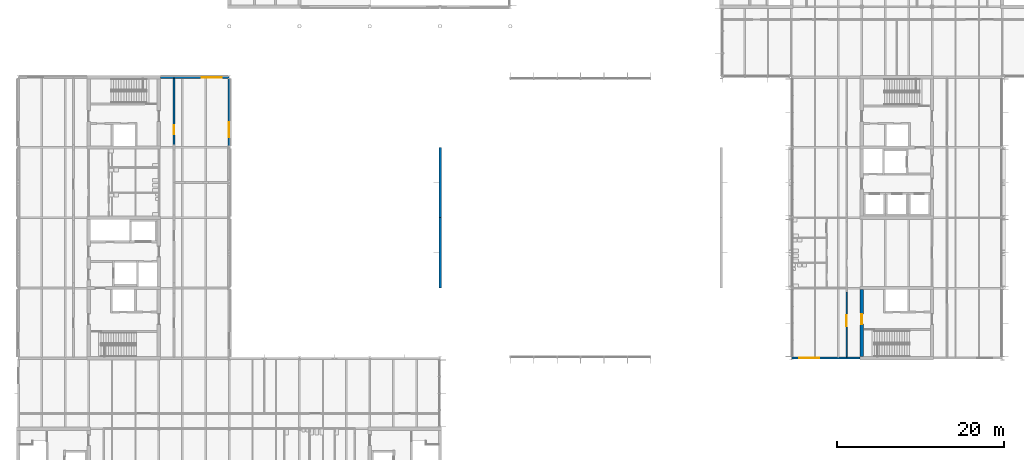
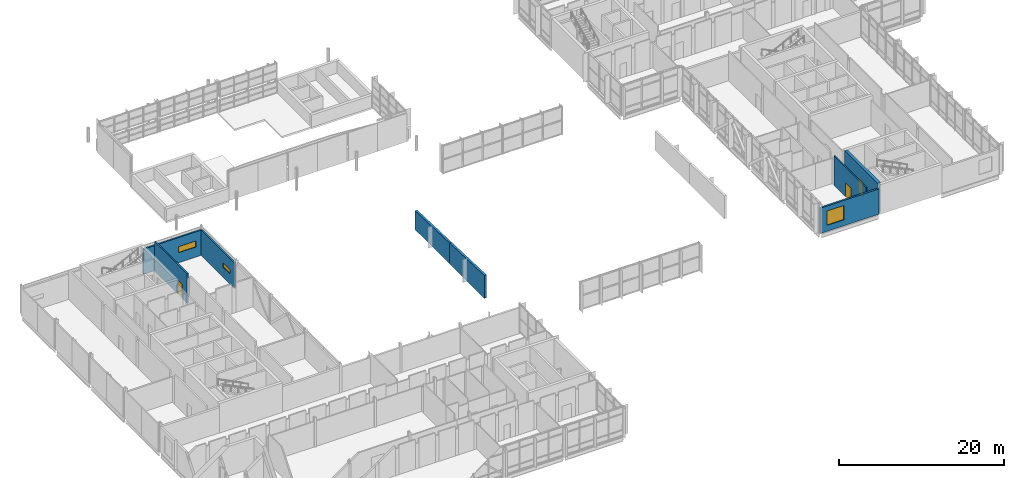
# One storey, part 43 of 72: 8 walls, 3 doors, 3 windows, 6 openings.
"""IFC4 building model written with IfcOpenShell, lengths in metres."""

from ifc_helpers import new_model, si_unit, direction, frame, frame_2d, origin, place, context, subcontext, project, spatial, polyline, rectangle, outline, extrude, material, layer, layer_set, type_object, element, fill, save


model = new_model("IFC4")

# Units and contexts
model_context = context("Model", 3, precision=1e-05, world=origin(), true_north=direction((0.0, 1.0)))
body_context = subcontext(model_context, "Body", "Model", "MODEL_VIEW")
ifc_project = project(units=[si_unit("LENGTHUNIT", "METRE"), si_unit("AREAUNIT", "SQUARE_METRE"), si_unit("VOLUMEUNIT", "CUBIC_METRE"), si_unit("PLANEANGLEUNIT", "RADIAN"), si_unit("MASSUNIT", "GRAM", prefix="KILO")], contexts=[model_context])

# Site, building, storey
site_placement = place(None, origin())
site = spatial("IfcSite", under=ifc_project, at=site_placement, CompositionType="ELEMENT")
building_placement = place(site_placement, origin())
building = spatial("IfcBuilding", under=site, at=building_placement, Name="Hlaing Beacon Police Headquarters", CompositionType="ELEMENT")
storey_placement = place(building_placement, frame((0.0, 0.0, 14.39990234375)))
storey = spatial("IfcBuildingStorey", under=building, at=storey_placement, Name="L03", CompositionType="ELEMENT", Elevation=14.39990234375)

# Wall, opening, door
ifc_material_1 = material(Name="Concrete C60/75", Category="concrete")
ifc_layer_1 = layer(ifc_material_1, 0.39990234375)
ifc_layer_set_1 = layer_set([ifc_layer_1], Name="Concrete C60/75")
wall_type_1 = type_object("IfcWallType", Name="Core shear wall 400", PredefinedType="SHEAR", material=ifc_layer_set_1)
wall_1_placement = place(storey_placement, frame((109.199951171875, 33.800048828125, 0.0), z_axis=(0.0, 0.0, 1.0), x_axis=(0.0, 1.0, 0.0)))
wall_1 = element("IfcWall", 1, at=wall_1_placement, inside=storey, type_object=wall_type_1, Name="Core shear wall", PredefinedType="SHEAR", context=body_context, shape_type="SweptSolid", body=[
    extrude(rectangle(XDim=8.0, YDim=0.39990234375, at=frame_2d((4.0, 0.0))), origin(), (0.0, 0.0, 1.0), 4.3701171875),
])
opening_1_placement = place(wall_1_placement, frame((3.875, 0.0, 0.0)))
opening_1 = element("IfcOpeningElement", 2, at=opening_1_placement, cuts=wall_1, Name="Opening L03-918", PredefinedType="OPENING", context=body_context, shape_type="SweptSolid", body=[
    extrude(rectangle(XDim=1.199951171875, YDim=2.10009765625, at=frame_2d((0.60009765625, 1.050048828125))), frame((0.0, 0.2099609375, 0.0), z_axis=(0.0, -1.0, 0.0), x_axis=(1.0, 0.0, 0.0)), (0.0, 0.0, 1.0), 0.419921875),
])
ifc_material_2 = material(Name="Steel fire door leaf", Category="steel")
ifc_layer_2 = layer(ifc_material_2, 0.070068359375)
ifc_layer_set_2 = layer_set([ifc_layer_2], Name="Steel fire door leaf")
door_type_1 = type_object("IfcDoorType", Name="Steel fire door FD60S 1200x2100", OperationType="SINGLE_SWING_LEFT", PredefinedType="DOOR", material=ifc_layer_set_2)
door_1_placement = place(opening_1_placement, frame((1.199951171875, 0.0, 0.0), z_axis=(0.0, 0.0, 1.0), x_axis=(-1.0, 0.0, 0.0)))
door_1 = element("IfcDoor", 3, at=door_1_placement, inside=storey, type_object=door_type_1, Name="Door Stair Lobby ST-L Entry", OperationType="SINGLE_SWING_RIGHT", OverallHeight=2.10009765625, OverallWidth=1.199951171875, PredefinedType="DOOR", context=body_context, shape_type="SweptSolid", body=[
    extrude(rectangle(XDim=1.199951171875, YDim=2.10009765625, at=frame_2d((0.599853515625, 1.050048828125))), frame((0.0, 0.034912109375, 0.0), z_axis=(0.0, -1.0, 0.0), x_axis=(1.0, 0.0, 0.0)), (0.0, 0.0, 1.0), 0.070068359375),
])
fill(opening_1, door_1)

ifc_material_3 = material(Name="Gypsum board partition")
ifc_layer_3 = layer(ifc_material_3, 0.14990234375)
ifc_layer_set_3 = layer_set([ifc_layer_3], Name="Gypsum board partition")
wall_type_2 = type_object("IfcWallType", Name="Corridor wall EI 30 150", PredefinedType="PARTITIONING", material=ifc_layer_set_3)
wall_2_placement = place(storey_placement, frame((107.39990234375, 33.75, 0.0), z_axis=(0.0, 0.0, 1.0), x_axis=(0.0, 1.0, 0.0)))
wall_2 = element("IfcWall", 4, at=wall_2_placement, inside=storey, type_object=wall_type_2, Name="Corridor wall EI 30 150", PredefinedType="PARTITIONING", context=body_context, shape_type="SweptSolid", body=[
    extrude(rectangle(XDim=7.7900390625, YDim=0.14990234375, at=frame_2d((3.89501953125, 0.0))), origin(), (0.0, 0.0, 1.0), 4.3701171875),
])
opening_2_placement = place(wall_2_placement, frame((3.64990234375, 0.0, 0.0)))
opening_2 = element("IfcOpeningElement", 5, at=opening_2_placement, cuts=wall_2, Name="Opening L03-017", PredefinedType="OPENING", context=body_context, shape_type="SweptSolid", body=[
    extrude(rectangle(XDim=1.35009765625, YDim=2.10009765625, at=frame_2d((0.675048828125, 1.050048828125))), frame((0.0, 0.0849609375, 0.0), z_axis=(0.0, -1.0, 0.0), x_axis=(1.0, 0.0, 0.0)), (0.0, 0.0, 1.0), 0.169921875),
])
ifc_material_4 = material(Name="Hardwood door leaf", Category="wood")
ifc_layer_4 = layer(ifc_material_4, 0.050048828125)
ifc_layer_set_4 = layer_set([ifc_layer_4], Name="Hardwood door leaf")
door_type_2 = type_object("IfcDoorType", Name="Fire leaf-and-a-half door FD30S 1350x2100", OperationType="DOUBLE_DOOR_SINGLE_SWING", PredefinedType="DOOR", material=ifc_layer_set_4)
door_2_placement = place(opening_2_placement, origin())
door_2 = element("IfcDoor", 6, at=door_2_placement, inside=storey, type_object=door_type_2, Name="Door Major Crime Unit Office", OperationType="DOUBLE_DOOR_SINGLE_SWING", OverallHeight=2.10009765625, OverallWidth=1.35009765625, PredefinedType="DOOR", context=body_context, shape_type="SweptSolid", body=[
    extrude(rectangle(XDim=1.35009765625, YDim=2.10009765625, at=frame_2d((0.675048828125, 1.050048828125))), frame((0.0, 0.02490234375, 0.0), z_axis=(0.0, -1.0, 0.0), x_axis=(1.0, 0.0, 0.0)), (0.0, 0.0, 1.0), 0.050048828125),
])
fill(opening_2, door_2)

ifc_material_5 = material(Name="Concrete blockwork 7.5 N/mm2", Category="masonry")
ifc_layer_5 = layer(ifc_material_5, 0.199951171875)
ifc_layer_set_5 = layer_set([ifc_layer_5], Name="Concrete blockwork 7.5 N/mm2")
wall_type_3 = type_object("IfcWallType", Name="Laboratory wall EI 60 200", PredefinedType="PARTITIONING", material=ifc_layer_set_5)
wall_3_placement = place(storey_placement, frame((27.0, 59.10498046875, 0.0), z_axis=(0.0, 0.0, 1.0), x_axis=(0.0, 1.0, 0.0)))
wall_3 = element("IfcWall", 7, at=wall_3_placement, inside=storey, type_object=wall_type_3, Name="Laboratory wall EI 60 200", PredefinedType="PARTITIONING", context=body_context, shape_type="SweptSolid", body=[
    extrude(rectangle(XDim=7.945068359375, YDim=0.199951171875, at=frame_2d((3.97265625, 0.0))), origin(), (0.0, 0.0, 1.0), 4.3701171875),
])
opening_3_placement = place(wall_3_placement, frame((1.2451171875, 0.0, 0.0)))
opening_3 = element("IfcOpeningElement", 8, at=opening_3_placement, cuts=wall_3, Name="Opening L03-025", PredefinedType="OPENING", context=body_context, shape_type="SweptSolid", body=[
    extrude(rectangle(XDim=1.10009765625, YDim=2.10009765625, at=frame_2d((0.550048828125, 1.050048828125))), frame((0.0, 0.10986328125, 0.0), z_axis=(0.0, -1.0, 0.0), x_axis=(1.0, 0.0, 0.0)), (0.0, 0.0, 1.0), 0.219970703125),
])
ifc_material_6 = material(Name="Hardwood door leaf", Category="wood")
ifc_layer_6 = layer(ifc_material_6, 0.050048828125)
ifc_layer_set_6 = layer_set([ifc_layer_6], Name="Hardwood door leaf")
door_type_3 = type_object("IfcDoorType", Name="Fire door FD30 1100x2100", OperationType="SINGLE_SWING_LEFT", PredefinedType="DOOR", material=ifc_layer_set_6)
door_3_placement = place(opening_3_placement, frame((1.10009765625, 0.0, 0.0), z_axis=(0.0, 0.0, 1.0), x_axis=(-1.0, 0.0, 0.0)))
door_3 = element("IfcDoor", 9, at=door_3_placement, inside=storey, type_object=door_type_3, Name="Door Trace Evidence Laboratory", OperationType="SINGLE_SWING_RIGHT", OverallHeight=2.10009765625, OverallWidth=1.10009765625, PredefinedType="DOOR", context=body_context, shape_type="SweptSolid", body=[
    extrude(rectangle(XDim=1.10009765625, YDim=2.10009765625, at=frame_2d((0.550048828125, 1.050048828125))), frame((0.0, 0.025146484375, 0.0), z_axis=(0.0, -1.0, 0.0), x_axis=(1.0, 0.0, 0.0)), (0.0, 0.0, 1.0), 0.050048828125),
])
fill(opening_3, door_3)

# Wall, opening, window
ifc_material_7 = material(Name="Concrete C40/50 precast ribbed cladding", Category="concrete")
ifc_layer_7 = layer(ifc_material_7, 0.25)
ifc_layer_set_7 = layer_set([ifc_layer_7], Name="Concrete C40/50 precast ribbed cladding")
wall_type_4 = type_object("IfcWallType", Name="Precast ribbed wall 250", PredefinedType="SOLIDWALL", material=ifc_layer_set_7)
wall_4_placement = place(storey_placement, frame((100.802001953125, 33.625, 0.0), z_axis=(0.0, 0.0, 1.0), x_axis=(1.0, 0.0, 0.0)))
wall_4 = element("IfcWall", 10, at=wall_4_placement, inside=storey, type_object=wall_type_4, Name="External wall L03 S024", PredefinedType="SOLIDWALL", context=body_context, shape_type="SweptSolid", body=[
    extrude(rectangle(XDim=8.197998046875, YDim=0.25, at=frame_2d((4.09912109375, 0.0))), origin(), (0.0, 0.0, 1.0), 3.74609375),
])
opening_4_placement = place(wall_4_placement, frame((0.898193359375, 0.0, 0.89990234375)))
opening_4 = element("IfcOpeningElement", 11, at=opening_4_placement, cuts=wall_4, Name="Opening WN28", PredefinedType="OPENING", context=body_context, shape_type="SweptSolid", body=[
    extrude(rectangle(XDim=2.39990234375, YDim=2.10009765625, at=frame_2d((1.199951171875, 1.050048828125))), frame((0.0, 0.135009765625, 0.0), z_axis=(0.0, -1.0, 0.0), x_axis=(1.0, 0.0, 0.0)), (0.0, 0.0, 1.0), 0.27001953125),
])
ifc_material_8 = material(Name="Aluminium frame with solar control glazing", Category="aluminium")
window_type_1 = type_object("IfcWindowType", Name="Window 2400x2100 frame 80", PartitioningType="SINGLE_PANEL", PredefinedType="WINDOW", material=ifc_material_8)
window_1_placement = place(opening_4_placement, origin())
window_1 = element("IfcWindow", 12, at=window_1_placement, inside=storey, type_object=window_type_1, Name="Window L03 WA", OverallHeight=2.10009765625, OverallWidth=2.39990234375, PartitioningType="SINGLE_PANEL", PredefinedType="WINDOW", context=body_context, shape_type="SweptSolid", body=[
    extrude(rectangle(XDim=2.39990234375, YDim=2.10009765625, at=frame_2d((1.199951171875, 1.050048828125))), frame((0.0, 0.0400390625, 0.0), z_axis=(0.0, -1.0, 0.0), x_axis=(1.0, 0.0, 0.0)), (0.0, 0.0, 1.0), 0.080078125),
])
fill(opening_4, window_1)

# Walls
ifc_material_9 = material(Name="Concrete C40/50 precast ribbed cladding", Category="concrete")
ifc_layer_8 = layer(ifc_material_9, 0.300048828125)
ifc_layer_set_8 = layer_set([ifc_layer_8], Name="Concrete C40/50 precast ribbed cladding")
wall_type_5 = type_object("IfcWallType", Name="Precast ribbed wall 300", PredefinedType="SOLIDWALL", material=ifc_layer_set_8)
wall_5_placement = place(storey_placement, frame((58.800048828125, 58.800048828125, 0.0), z_axis=(0.0, 0.0, 1.0), x_axis=(0.0, -1.0, 0.0)))
element("IfcWall", 13, at=wall_5_placement, inside=storey, type_object=wall_type_5, Name="External wall L03 W001", PredefinedType="SOLIDWALL", context=body_context, shape_type="SweptSolid", body=[
    extrude(outline(polyline([(0.0, 0.0), (8.400146484375, 0.0), (8.39990234375, 3.10009765625), (0.0, 2.800048828125), (0.0, 0.0)])), frame((0.0, 0.14990234375, 0.0), z_axis=(0.0, -1.0, 0.0), x_axis=(1.0, 0.0, 0.0)), (0.0, 0.0, 1.0), 0.300048828125),
])
wall_6_placement = place(storey_placement, frame((58.800048828125, 50.39990234375, 0.0), z_axis=(0.0, 0.0, 1.0), x_axis=(0.0, -1.0, 0.0)))
element("IfcWall", 14, at=wall_6_placement, inside=storey, type_object=wall_type_5, Name="External wall L03 W002", PredefinedType="SOLIDWALL", context=body_context, shape_type="SweptSolid", body=[
    extrude(outline(polyline([(0.0, 0.0), (8.39990234375, 0.0), (8.39990234375, 3.400146484375), (0.0, 3.10009765625), (0.0, 0.0)])), frame((0.0, 0.14990234375, 0.0), z_axis=(0.0, -1.0, 0.0), x_axis=(1.0, 0.0, 0.0)), (0.0, 0.0, 1.0), 0.300048828125),
])

# Wall, opening, window
ifc_material_10 = material(Name="Fibre cement ribbed cladding on insulated frame")
ifc_layer_9 = layer(ifc_material_10, 0.22509765625)
ifc_layer_set_9 = layer_set([ifc_layer_9], Name="Fibre cement ribbed cladding on insulated frame")
wall_type_6 = type_object("IfcWallType", Name="Ribbed fibre-cement clad wall 225", PredefinedType="SOLIDWALL", material=ifc_layer_set_9)
wall_7_placement = place(storey_placement, frame((33.5625, 58.9697265625, 0.0), z_axis=(0.0, 0.0, 1.0), x_axis=(0.0, 1.0, 0.0)))
wall_7 = element("IfcWall", 15, at=wall_7_placement, inside=storey, type_object=wall_type_6, Name="External wall L03 E015", PredefinedType="SOLIDWALL", context=body_context, shape_type="SweptSolid", body=[
    extrude(rectangle(XDim=8.060791015625, YDim=0.22509765625, at=frame_2d((4.0302734375, 0.0))), origin(), (0.0, 0.0, 1.0), 3.74609375),
])
opening_5_placement = place(wall_7_placement, frame((1.0302734375, 0.0, 1.5)))
opening_5 = element("IfcOpeningElement", 16, at=opening_5_placement, cuts=wall_7, Name="Opening WN14", PredefinedType="OPENING", context=body_context, shape_type="SweptSolid", body=[
    extrude(rectangle(XDim=1.800048828125, YDim=0.60009765625, at=frame_2d((0.89990234375, 0.300048828125))), frame((0.0, 0.12255859375, 0.0), z_axis=(0.0, -1.0, 0.0), x_axis=(1.0, 0.0, 0.0)), (0.0, 0.0, 1.0), 0.2451171875),
])
ifc_material_11 = material(Name="Aluminium frame with solar control glazing", Category="aluminium")
window_type_2 = type_object("IfcWindowType", Name="Strip window 1800x600 frame 80", PartitioningType="SINGLE_PANEL", PredefinedType="WINDOW", material=ifc_material_11)
window_2_placement = place(opening_5_placement, origin())
window_2 = element("IfcWindow", 17, at=window_2_placement, inside=storey, type_object=window_type_2, Name="Window L03 WJ", OverallHeight=0.60009765625, OverallWidth=1.800048828125, PartitioningType="SINGLE_PANEL", PredefinedType="WINDOW", context=body_context, shape_type="SweptSolid", body=[
    extrude(rectangle(XDim=1.800048828125, YDim=0.60009765625, at=frame_2d((0.89990234375, 0.300048828125))), frame((0.0, 0.0400390625, 0.0), z_axis=(0.0, -1.0, 0.0), x_axis=(1.0, 0.0, 0.0)), (0.0, 0.0, 1.0), 0.080078125),
])
fill(opening_5, window_2)

wall_8_placement = place(storey_placement, frame((33.59521484375, 67.16259765625, 0.0), z_axis=(0.0, 0.0, 1.0), x_axis=(-1.0, 0.0, 0.0)))
wall_8 = element("IfcWall", 18, at=wall_8_placement, inside=storey, type_object=wall_type_6, Name="External wall L03 N016", PredefinedType="SOLIDWALL", context=body_context, shape_type="SweptSolid", body=[
    extrude(rectangle(XDim=8.1953125, YDim=0.22509765625, at=frame_2d((4.09765625, 0.0))), origin(), (0.0, 0.0, 1.0), 3.74609375),
])
opening_6_placement = place(wall_8_placement, frame((0.895263671875, 0.0, 1.5)))
opening_6 = element("IfcOpeningElement", 19, at=opening_6_placement, cuts=wall_8, Name="Opening WN34", PredefinedType="OPENING", context=body_context, shape_type="SweptSolid", body=[
    extrude(rectangle(XDim=2.39990234375, YDim=0.89990234375, at=frame_2d((1.199951171875, 0.449951171875))), frame((0.0, 0.12255859375, 0.0), z_axis=(0.0, -1.0, 0.0), x_axis=(1.0, 0.0, 0.0)), (0.0, 0.0, 1.0), 0.2451171875),
])
ifc_material_12 = material(Name="Aluminium frame with solar control glazing", Category="aluminium")
window_type_3 = type_object("IfcWindowType", Name="Laboratory high window 2400x900 frame 60", PartitioningType="SINGLE_PANEL", PredefinedType="WINDOW", material=ifc_material_12)
window_3_placement = place(opening_6_placement, origin())
window_3 = element("IfcWindow", 20, at=window_3_placement, inside=storey, type_object=window_type_3, Name="Window L03 WF", OverallHeight=0.89990234375, OverallWidth=2.39990234375, PartitioningType="SINGLE_PANEL", PredefinedType="WINDOW", context=body_context, shape_type="SweptSolid", body=[
    extrude(rectangle(XDim=2.39990234375, YDim=0.89990234375, at=frame_2d((1.199951171875, 0.449951171875))), frame((0.0, 0.030029296875, 0.0), z_axis=(0.0, -1.0, 0.0), x_axis=(1.0, 0.0, 0.0)), (0.0, 0.0, 1.0), 0.06005859375),
])
fill(opening_6, window_3)

save(model, "model.ifc")
